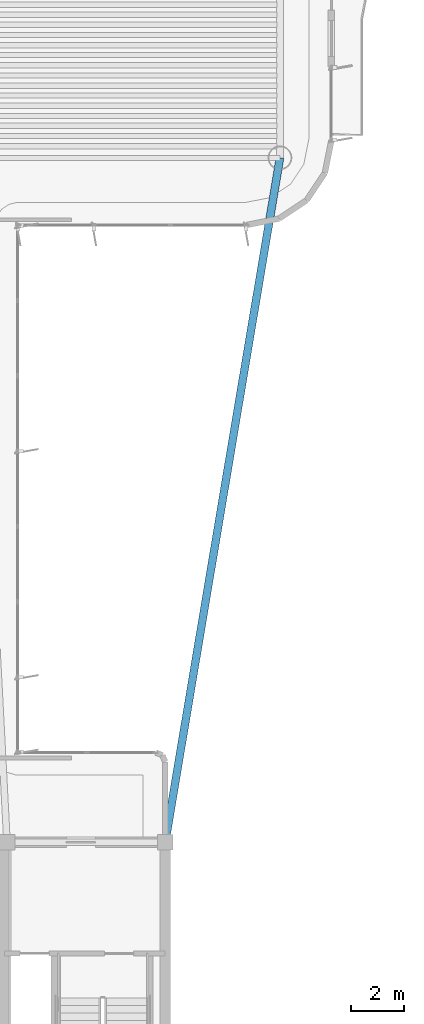
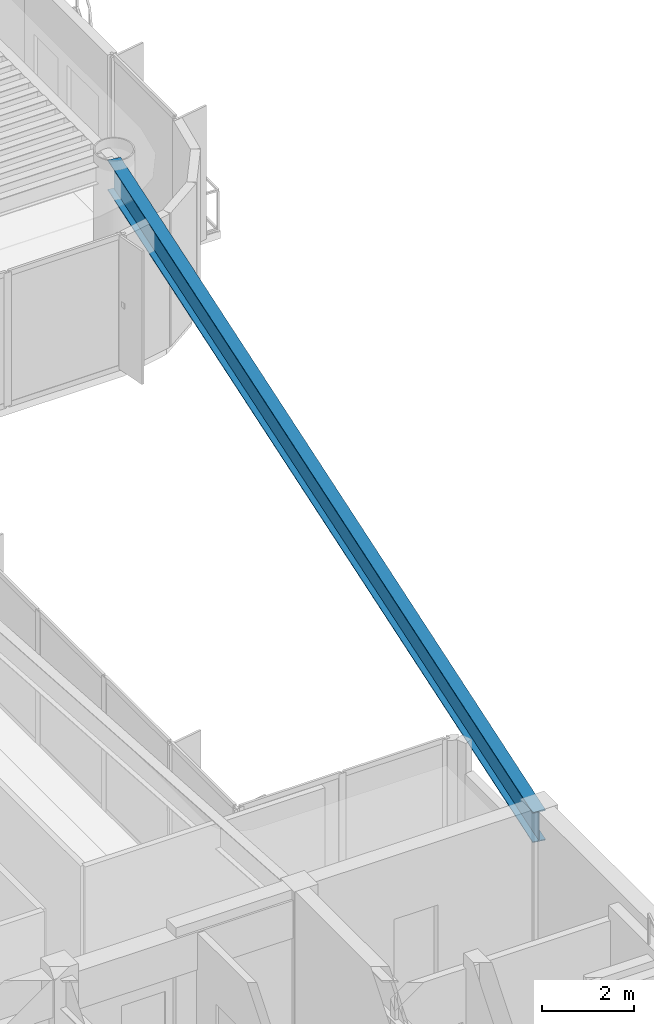
# One storey, part 4 of 14: 1 beam.
"""IFC4 building model written with IfcOpenShell, lengths in metres."""

from ifc_helpers import new_model, si_unit, direction, frame, origin, origin_2d, place, context, subcontext, project, spatial, i_section, extrude, source, transform, mapped, material, material_profile, profile_set, type_object, element, save


model = new_model("IFC4")

# Units and contexts
model_context = context("Model", 3, precision=1e-05, world=origin(), true_north=direction((0.0, 1.0)))
body_context = subcontext(model_context, "Body", "Model", "MODEL_VIEW")
ifc_project = project(units=[si_unit("LENGTHUNIT", "METRE"), si_unit("AREAUNIT", "SQUARE_METRE"), si_unit("VOLUMEUNIT", "CUBIC_METRE"), si_unit("PLANEANGLEUNIT", "RADIAN"), si_unit("MASSUNIT", "GRAM", prefix="KILO")], contexts=[model_context])

# Site, building, storey
site_placement = place(None, origin())
site = spatial("IfcSite", under=ifc_project, at=site_placement, CompositionType="ELEMENT")
building_placement = place(site_placement, origin())
building = spatial("IfcBuilding", under=site, at=building_placement, Name="Brelvock Crest Care Tower", CompositionType="ELEMENT")
storey_placement = place(building_placement, frame((0.0, 0.0, 253.260009765625)))
storey = spatial("IfcBuildingStorey", under=building, at=storey_placement, Name="L64", CompositionType="ELEMENT", Elevation=253.260009765625)

# Beam
ifc_material = material(Name="Steel Grade 350", Category="steel")
ifc_material_profile = material_profile(ifc_material, i_section(OverallWidth=0.300048828125, OverallDepth=0.800048828125, WebThickness=0.013916015625, FlangeThickness=0.02197265625, at=origin_2d()), Name="800WB192")
ifc_profile_set = profile_set([ifc_material_profile], Name="Steel Grade 350")
beam_type = type_object("IfcBeamType", Name="BM-G5", PredefinedType="BEAM", material=ifc_profile_set)
shared_shape = source(origin(), body_context, "Body", "SweptSolid", [
    extrude(i_section(OverallWidth=0.300048828125, OverallDepth=0.800048828125, WebThickness=0.013916015625, FlangeThickness=0.02197265625, at=origin_2d()), origin(), (0.0, 0.0, 1.0), 26.31201171875),
])
beam_placement = place(storey_placement, frame((48.0, 18.0, 3.1298828125), z_axis=(0.165327282709, 0.986238758918, 0.0), x_axis=(-0.986238758918, 0.165327282709, 0.0)))
element("IfcBeam", 1, at=beam_placement, inside=storey, type_object=beam_type, Name="BM-THRO-E-L64", PredefinedType="BEAM", context=body_context, shape_type="MappedRepresentation", body=[
    mapped(shared_shape, transform((0.0, 0.0, 0.0), x_axis=(1.0, 0.0, 0.0), y_axis=(0.0, 1.0, 0.0), z_axis=(0.0, 0.0, 1.0), scale=1.0)),
])

save(model, "model.ifc")
